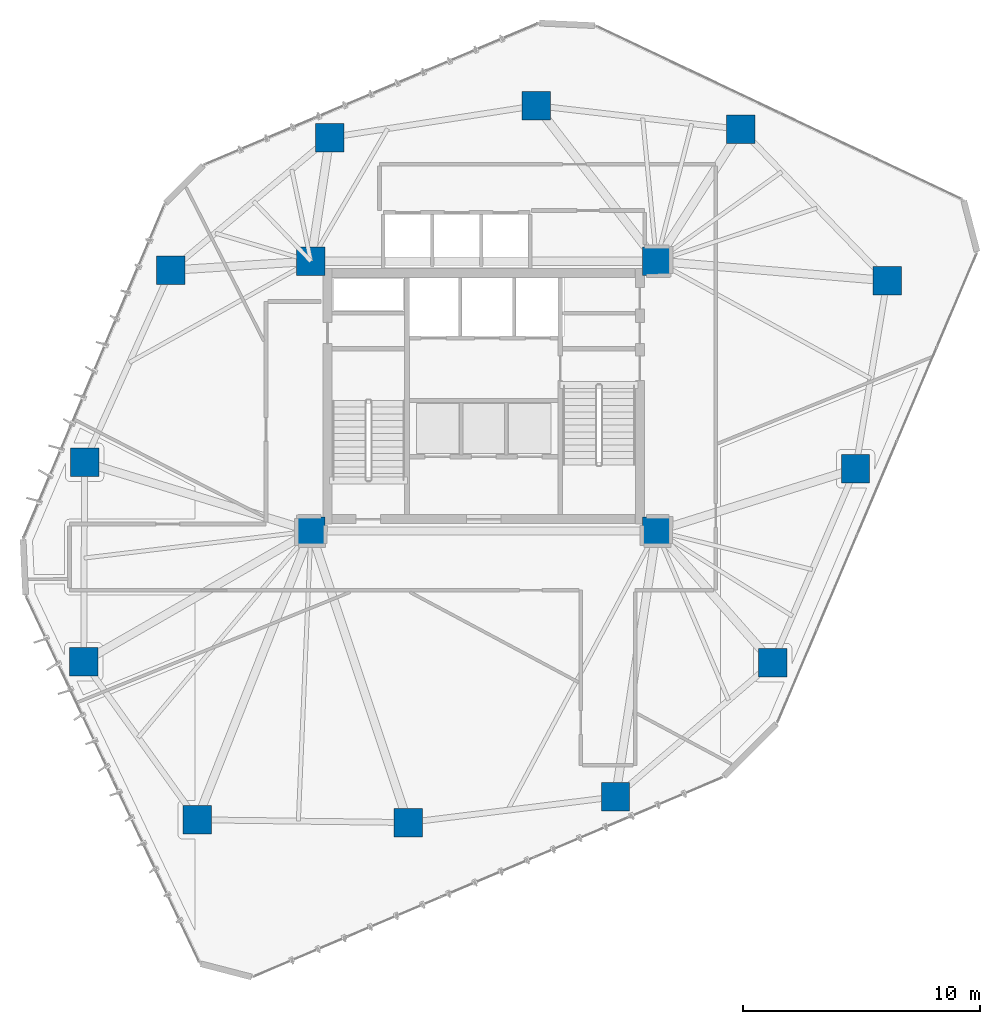
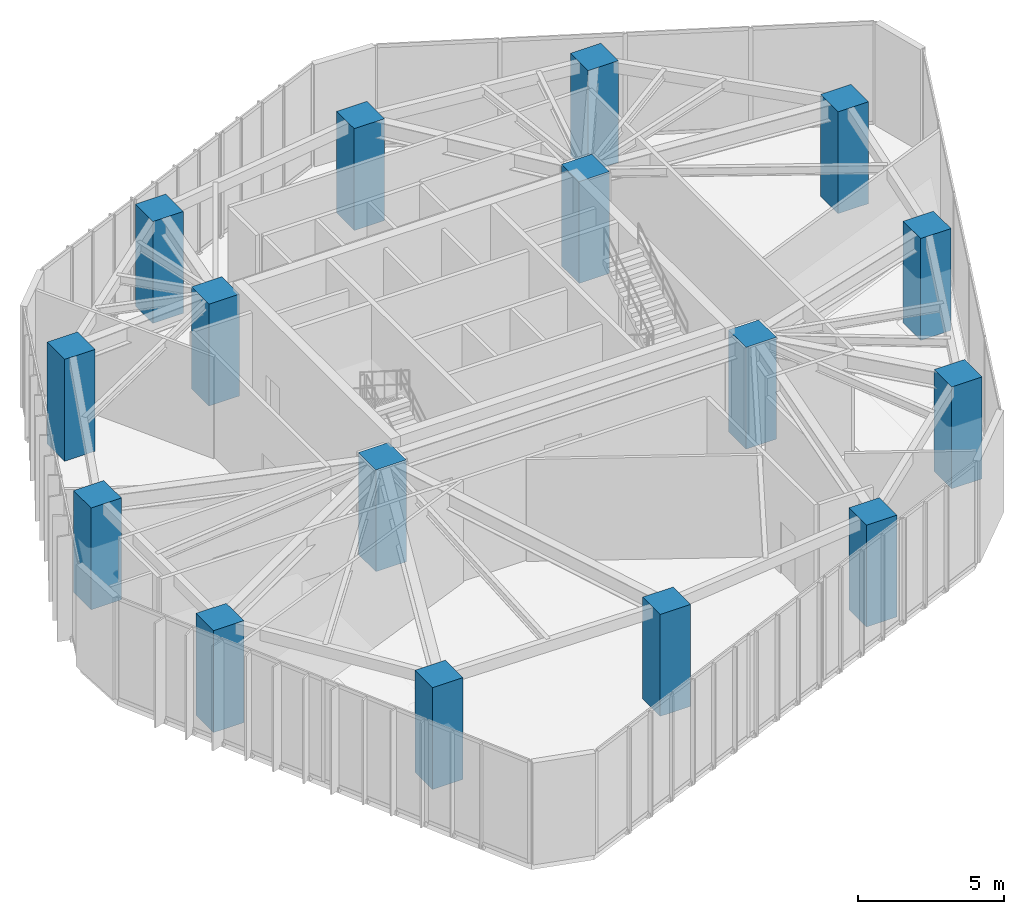
# One storey, part 1 of 28: 16 columns.
"""IFC4 building model written with IfcOpenShell, lengths in metres."""

import ifcopenshell
import ifcopenshell.guid

model = None  # the IFC model being written
_history = None  # IfcOwnerHistory: only IFC2X3 demands one
_inside = {}  # id of a spatial element -> (the spatial element, [elements in it])
_under = {}  # id of a project, library or spatial element -> (it, [spatial elements below it])
_declared = {}  # id of a project -> (the project, [libraries it declares])
_typed = {}  # id of a type object -> (the type object, [elements of that type])
_made_of = {}  # id of a material, layer set ... -> (it, [elements and type objects made of it])


def new_model(schema):
    """Start an empty IFC model of exactly this schema.

    Asked for "IFC4X3", IfcOpenShell would pick the latest addendum, in which some entities
    have other attributes; the version numbers below select the first issue.
    IFC2X3 requires an IfcOwnerHistory on every rooted entity: one is made here for all.
    """
    global model, _history
    if schema == "IFC4X3":
        model = ifcopenshell.file(schema_version=(4, 3, 0, 0))
    else:
        model = ifcopenshell.file(schema=schema)
    _inside.clear()
    _under.clear()
    _declared.clear()
    _typed.clear()
    _made_of.clear()
    _history = None
    if model.schema == "IFC2X3":
        org = make("IfcOrganization", Name="unknown")
        user = make(
            "IfcPersonAndOrganization",
            ThePerson=make("IfcPerson", FamilyName="unknown"),
            TheOrganization=org,
        )
        app = make(
            "IfcApplication",
            ApplicationDeveloper=org,
            Version="unknown",
            ApplicationFullName="unknown",
            ApplicationIdentifier="unknown",
        )
        _history = make(
            "IfcOwnerHistory",
            OwningUser=user,
            OwningApplication=app,
            ChangeAction="ADDED",
            CreationDate=0,
        )
    return model


def make(cls, **values):
    """One entity of the class cls with the attributes given. An attribute that is None is left unset."""
    return model.create_entity(
        cls, **{name: value for name, value in values.items() if value is not None}
    )


def rooted(cls, **values):
    """An entity with a GlobalId (a new one), such as an element, a storey or a relation."""
    return make(cls, GlobalId=ifcopenshell.guid.new(), OwnerHistory=_history, **values)


def si_unit(unit_type, name, prefix=None):
    """IfcSIUnit, for example si_unit("LENGTHUNIT", "METRE", prefix="MILLI")."""
    return make("IfcSIUnit", UnitType=unit_type, Prefix=prefix, Name=name)


def assignment(units):
    """IfcUnitAssignment: the units of a project."""
    return None if units is None else make("IfcUnitAssignment", Units=units)


def point(xyz):
    """IfcCartesianPoint."""
    return None if xyz is None else make("IfcCartesianPoint", Coordinates=xyz)


def direction(xyz):
    """IfcDirection."""
    return None if xyz is None else make("IfcDirection", DirectionRatios=xyz)


def frame(location, z_axis=None, x_axis=None):
    """IfcAxis2Placement3D, a coordinate frame: its origin and axes. An axis left out is left unset."""
    return make(
        "IfcAxis2Placement3D",
        Location=point(location),
        Axis=direction(z_axis),
        RefDirection=direction(x_axis),
    )


def frame_2d(location, x_axis=None):
    """IfcAxis2Placement2D, a coordinate frame in the plane: its origin and x axis."""
    return make(
        "IfcAxis2Placement2D", Location=point(location), RefDirection=direction(x_axis)
    )


def origin():
    """The frame at (0, 0, 0) with its axes left unset."""
    return frame((0.0, 0.0, 0.0))


def origin_2d():
    """The frame at (0, 0) in the plane with its x axis left unset."""
    return frame_2d((0.0, 0.0))


def place(relative_to, where):
    """IfcLocalPlacement: puts the frame where relative to a parent placement (None: the world)."""
    return make(
        "IfcLocalPlacement", PlacementRelTo=relative_to, RelativePlacement=where
    )


def context(
    kind, dimensions, precision=None, world=None, true_north=None, identifier=None
):
    """IfcGeometricRepresentationContext, for example the 3D "Model" context."""
    return make(
        "IfcGeometricRepresentationContext",
        ContextIdentifier=identifier,
        ContextType=kind,
        CoordinateSpaceDimension=dimensions,
        Precision=precision,
        WorldCoordinateSystem=world,
        TrueNorth=true_north,
    )


def subcontext(parent, identifier, kind, view, scale=None):
    """IfcGeometricRepresentationSubContext, for example "Body" below "Model"."""
    return make(
        "IfcGeometricRepresentationSubContext",
        ContextIdentifier=identifier,
        ContextType=kind,
        ParentContext=parent,
        TargetScale=scale,
        TargetView=view,
    )


def project(units=None, contexts=None):
    """IfcProject with its units and contexts."""
    return rooted(
        "IfcProject",
        Name="project",
        RepresentationContexts=contexts,
        UnitsInContext=assignment(units),
    )


def spatial(cls, under=None, at=None, **own):
    """A site, building, storey or space (cls), placed at a placement, below another one or the project."""
    s = rooted(cls, ObjectPlacement=at, **own)
    if under is not None:
        _under.setdefault(under.id(), (under, []))[1].append(s)
    return s


def profile(cls, at=None, kind="AREA", **sizes):
    """A parametric profile (cls). Its sizes go by their IFC names, for example OverallWidth=200.0."""
    return make(cls, ProfileType=kind, Position=at, **sizes)


def rectangle(**sizes):
    """IfcRectangleProfileDef."""
    return profile("IfcRectangleProfileDef", **sizes)


def extrude(swept, where, along, depth):
    """IfcExtrudedAreaSolid: the profile swept, set in the frame where, extruded along a direction by depth."""
    return make(
        "IfcExtrudedAreaSolid",
        SweptArea=swept,
        Position=where,
        ExtrudedDirection=direction(along),
        Depth=depth,
    )


def shape(context_of_items, identifier, shape_type, items):
    """IfcShapeRepresentation: the items that make up one representation, for example the "Body"."""
    return make(
        "IfcShapeRepresentation",
        ContextOfItems=context_of_items,
        RepresentationIdentifier=identifier,
        RepresentationType=shape_type,
        Items=items,
    )


def material(Name=None, Category=None):
    """IfcMaterial."""
    return make("IfcMaterial", Name=Name, Category=Category)


def material_profile(
    of_material, cross_section, Name=None, Category=None, Priority=None
):
    """IfcMaterialProfile: a cross section and its material."""
    return make(
        "IfcMaterialProfile",
        Name=Name,
        Material=of_material,
        Profile=cross_section,
        Priority=Priority,
        Category=Category,
    )


def profile_set(profiles, Name=None, composite=None):
    """IfcMaterialProfileSet."""
    return make(
        "IfcMaterialProfileSet",
        Name=Name,
        MaterialProfiles=profiles,
        CompositeProfile=composite,
    )


def made_of(thing, what):
    """Note that an element or type object is made of a material, layer set ...; save() writes the relation."""
    if what is not None:
        _made_of.setdefault(what.id(), (what, []))[1].append(thing)
    return thing


def type_object(cls, material=None, **own):
    """A type object (cls), such as IfcWallType, which elements share."""
    return made_of(rooted(cls, **own), material)


def element(
    cls,
    number,
    at=None,
    inside=None,
    cuts=None,
    type_object=None,
    material=None,
    context=None,
    identifier="Body",
    shape_type=None,
    held_by="IfcProductDefinitionShape",
    body=None,
    shapes=None,
    **own,
):
    """One element of the class cls, such as IfcWall. Its Tag is "e" and its number.

    at: its placement. inside: the storey or other place that contains it. cuts: it is an
    opening in that element (IfcRelVoidsElement). A single representation is given by context,
    identifier, shape_type and body (its items); several are given by shapes. held_by: the class
    of the entity that holds the representations. save() writes the other relations.
    """
    e = rooted(cls, Tag="e%d" % number, ObjectPlacement=at, **own)
    if body is not None:
        shapes = [shape(context, identifier, shape_type, body)]
    if shapes is not None:
        e.Representation = make(held_by, Representations=shapes)
    if inside is not None:
        _inside.setdefault(inside.id(), (inside, []))[1].append(e)
    if cuts is not None:
        rooted(
            "IfcRelVoidsElement", RelatingBuildingElement=cuts, RelatedOpeningElement=e
        )
    if type_object is not None:
        _typed.setdefault(type_object.id(), (type_object, []))[1].append(e)
    return made_of(e, material)


def aggregate(whole, parts):
    """IfcRelAggregates: a whole, such as a stair, and the parts it consists of."""
    return rooted("IfcRelAggregates", RelatingObject=whole, RelatedObjects=parts)


def save(model, path):
    """Write the relations noted so far, then the file.

    IfcRelAggregates (storeys below a building ...), IfcRelContainedInSpatialStructure (elements
    in a storey), IfcRelDefinesByType, IfcRelAssociatesMaterial and IfcRelDeclares: one each for
    every whole, place, type object, material and project.
    """
    for whole, parts in _under.values():
        aggregate(whole, parts)
    for where, things in _inside.values():
        rooted(
            "IfcRelContainedInSpatialStructure",
            RelatedElements=things,
            RelatingStructure=where,
        )
    for kind, things in _typed.values():
        rooted("IfcRelDefinesByType", RelatedObjects=things, RelatingType=kind)
    for what, things in _made_of.values():
        rooted("IfcRelAssociatesMaterial", RelatedObjects=things, RelatingMaterial=what)
    for by, libraries in _declared.values():
        rooted("IfcRelDeclares", RelatingContext=by, RelatedDefinitions=libraries)
    model.write(path)


model = new_model("IFC4")

# Units and contexts
model_context = context("Model", 3, precision=1e-05, world=origin(), true_north=direction((0.0, 1.0)))
body_context = subcontext(model_context, "Body", "Model", "MODEL_VIEW")
ifc_project = project(units=[si_unit("LENGTHUNIT", "METRE"), si_unit("AREAUNIT", "SQUARE_METRE"), si_unit("VOLUMEUNIT", "CUBIC_METRE"), si_unit("PLANEANGLEUNIT", "RADIAN"), si_unit("MASSUNIT", "GRAM", prefix="KILO")], contexts=[model_context])

# Site, building, storey
site_placement = place(None, origin())
site = spatial("IfcSite", under=ifc_project, at=site_placement, CompositionType="ELEMENT")
building_placement = place(site_placement, origin())
building = spatial("IfcBuilding", under=site, at=building_placement, Name="Talar Marvaseh", CompositionType="ELEMENT")
storey_placement = place(building_placement, frame((0.0, 0.0, 157.800048828125)))
storey = spatial("IfcBuildingStorey", under=building, at=storey_placement, Name="L41", CompositionType="ELEMENT", Elevation=157.800048828125)

# Columns
ifc_material = material(Name="Concrete C60/75", Category="concrete")
ifc_material_profile = material_profile(ifc_material, rectangle(XDim=1.199951171875, YDim=1.199951171875, at=origin_2d()), Name="RC1200x1200")
ifc_profile_set = profile_set([ifc_material_profile], Name="Concrete C60/75")
column_type = type_object("IfcColumnType", Name="Zone 2 Tube Column RC1200x1200", PredefinedType="COLUMN", material=ifc_profile_set)
for number, where, z_axis, x_axis, name in (
    (1, (36.865966796875, 42.470947265625, 0.0), (0.0, 0.0, 1.0), (1.0, 0.0, 0.0), "L41 Zone 2 Tube Column RC1200x1200"),
    (2, (43.0439453125, 36.075927734375, 0.0), (0.0, 0.0, 1.0), (1.0, 0.0, 0.0), "L41 Zone 2 Tube Column RC1200x1200"),
    (3, (41.708984375, 28.1279296875, 0.0), (0.0, 0.0, 1.0), (1.0, 0.0, 0.0), "L41 Zone 2 Tube Column RC1200x1200"),
    (4, (38.2060546875, 19.94091796875, 0.0), (0.0, 0.0, 1.0), (1.0, 0.0, 0.0), "L41 Zone 2 Tube Column RC1200x1200"),
    (5, (31.570068359375, 14.26806640625, 0.0), (0.0, 0.0, 1.0), (1.0, 0.0, 0.0), "L41 Zone 2 Tube Column RC1200x1200"),
    (6, (22.804931640625, 13.18310546875, 0.0), (0.0, 0.0, 1.0), (1.0, 0.0, 0.0), "L41 Zone 2 Tube Column RC1200x1200"),
    (7, (13.89111328125, 13.299072265625, 0.0), (0.0, 0.0, 1.0), (1.0, 0.0, 0.0), "L41 Zone 2 Tube Column RC1200x1200"),
    (8, (9.10107421875, 19.97705078125, 0.0), (0.0, 0.0, 1.0), (1.0, 0.0, 0.0), "L41 Zone 2 Tube Column RC1200x1200"),
    (9, (9.137939453125, 28.402099609375, 0.0), (0.0, 0.0, 1.0), (1.0, 0.0, 0.0), "L41 Zone 2 Tube Column RC1200x1200"),
    (10, (12.780029296875, 36.51708984375, 0.0), (0.0, 0.0, 1.0), (1.0, 0.0, 0.0), "L41 Zone 2 Tube Column RC1200x1200"),
    (11, (19.5009765625, 42.123046875, 0.0), (0.0, 0.0, 1.0), (1.0, 0.0, 0.0), "L41 Zone 2 Tube Column RC1200x1200"),
    (12, (28.221923828125, 43.471923828125, 0.0), (0.0, 0.0, 1.0), (1.0, 0.0, 0.0), "L41 Zone 2 Tube Column RC1200x1200"),
    (13, (18.699951171875, 25.5, 0.0), (0.0, 0.0, 1.0), (1.0, 0.0, 0.0), "L41 Zone 2 Tube Column RC1200x1200"),
    (14, (33.300048828125, 25.5, 0.0), (0.0, 0.0, 1.0), (1.0, 0.0, 0.0), "L41 Zone 2 Tube Column RC1200x1200"),
    (15, (33.300048828125, 36.89990234375, 0.0), (0.0, 0.0, 1.0), (1.0, 0.0, 0.0), "L41 Zone 2 Tube Column RC1200x1200"),
    (16, (18.699951171875, 36.89990234375, 0.0), (0.0, 0.0, 1.0), (1.0, 0.0, 0.0), "L41 Zone 2 Tube Column RC1200x1200"),
):
    element("IfcColumn", number, at=place(storey_placement, frame(where, z_axis=z_axis, x_axis=x_axis)), inside=storey, type_object=column_type, Name=name, PredefinedType="COLUMN", context=body_context, shape_type="SweptSolid", body=[
        extrude(rectangle(XDim=1.199951171875, YDim=1.199951171875, at=origin_2d()), origin(), (0.0, 0.0, 1.0), 4.25),
    ])

save(model, "model.ifc")
